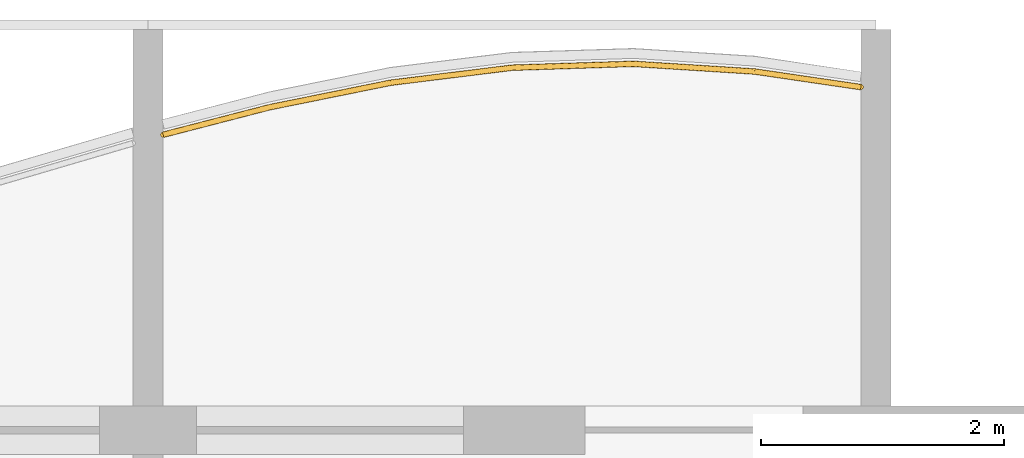
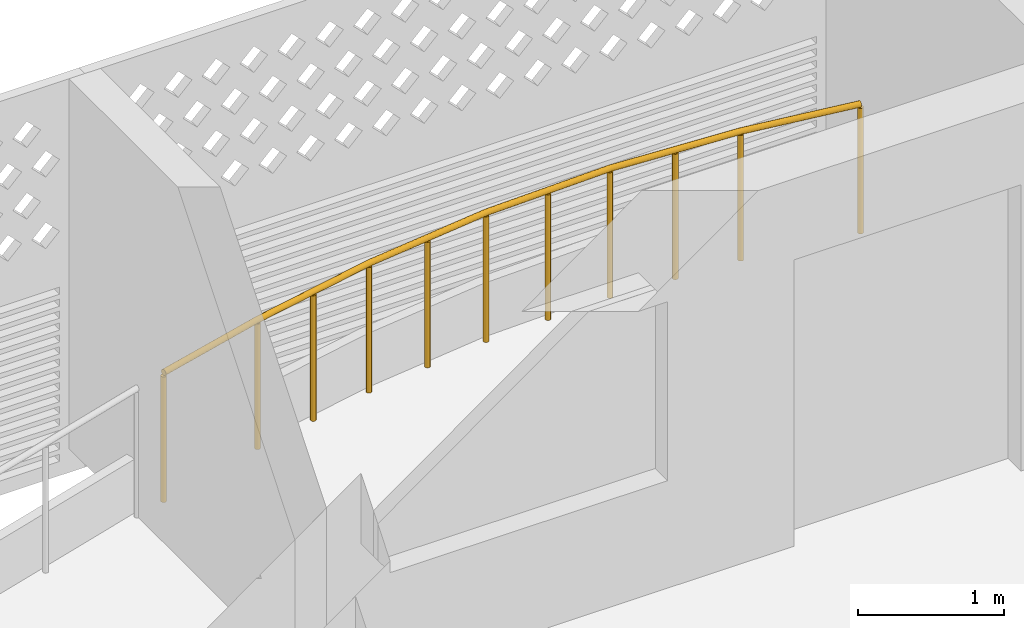
# One storey, part 27 of 28: 1 railing.
"""IFC4 building model written with IfcOpenShell, lengths in metres."""

from ifc_helpers import new_model, si_unit, direction, frame, origin, origin_2d, place, context, subcontext, project, spatial, circle, extrude, material, type_object, element, save


model = new_model("IFC4")

# Units and contexts
model_context = context("Model", 3, precision=1e-05, world=origin(), true_north=direction((0.0, 1.0)))
body_context = subcontext(model_context, "Body", "Model", "MODEL_VIEW")
ifc_project = project(units=[si_unit("LENGTHUNIT", "METRE"), si_unit("AREAUNIT", "SQUARE_METRE"), si_unit("VOLUMEUNIT", "CUBIC_METRE"), si_unit("PLANEANGLEUNIT", "RADIAN"), si_unit("MASSUNIT", "GRAM", prefix="KILO")], contexts=[model_context])

# Site, building, storey
site_placement = place(None, origin())
site = spatial("IfcSite", under=ifc_project, at=site_placement, CompositionType="ELEMENT")
building_placement = place(site_placement, origin())
building = spatial("IfcBuilding", under=site, at=building_placement, Name="Poui Terraces", CompositionType="ELEMENT")
storey_placement = place(building_placement, frame((0.0, 0.0, 188.39990234375)))
storey = spatial("IfcBuildingStorey", under=building, at=storey_placement, Name="L52", CompositionType="ELEMENT", Elevation=188.39990234375)

# Railing
ifc_material = material(Name="Painted steel fretwork", Category="steel")
railing_type = type_object("IfcRailingType", Name="BALCONY GUARD 1100", PredefinedType="GUARDRAIL", material=ifc_material)
railing_placement = place(storey_placement, frame((72.125, 43.634521484375, 0.0)))
element("IfcRailing", 1, at=railing_placement, inside=storey, type_object=railing_type, Name="BALCONY GUARD", PredefinedType="GUARDRAIL", context=body_context, shape_type="SweptSolid", body=[
    extrude(circle(Radius=0.02392578125, at=origin_2d()), frame((0.0, 0.0, 1.076171875), z_axis=(0.968205596165, 0.250155798563, 0.0), x_axis=(-0.250155798563, 0.968205596165, 0.0)), (0.0, 0.0, 1.0), 0.90380859375),
    extrude(circle(Radius=0.02392578125, at=origin_2d()), frame((0.875, 0.22607421875, 1.076171875), z_axis=(0.980080566497, 0.198600310106, 0.0), x_axis=(-0.198600310106, 0.980080566497, 0.0)), (0.0, 0.0, 1.0), 1.020263671875),
    extrude(circle(Radius=0.02392578125, at=origin_2d()), frame((1.875, 0.4287109375, 1.076171875), z_axis=(0.992426262271, 0.122841824944, 0.0), x_axis=(-0.122841824944, 0.992426262271, 0.0)), (0.0, 0.0, 1.0), 1.007568359375),
    extrude(circle(Radius=0.02392578125, at=origin_2d()), frame((2.875, 0.552490234375, 1.076171875), z_axis=(0.999496720941, 0.031722308038, 0.0), x_axis=(-0.031722308038, 0.999496720941, 0.0)), (0.0, 0.0, 1.0), 1.00048828125),
    extrude(circle(Radius=0.02392578125, at=origin_2d()), frame((3.875, 0.584228515625, 1.076171875), z_axis=(0.998006805525, -0.063106387361, 0.0), x_axis=(0.063106387361, 0.998006805525, 0.0)), (0.0, 0.0, 1.0), 1.001953125),
    extrude(circle(Radius=0.02392578125, at=origin_2d()), frame((4.875, 0.52099609375, 1.076171875), z_axis=(0.989401169276, -0.1452078725, 0.0), x_axis=(0.1452078725, 0.989401169276, 0.0)), (0.0, 0.0, 1.0), 0.88427734375),
    extrude(circle(Radius=0.02099609375, at=origin_2d()), origin(), (0.0, 0.0, 1.0), 1.052001953125),
    extrude(circle(Radius=0.02099609375, at=origin_2d()), frame((0.875, 0.22607421875, 0.0)), (0.0, 0.0, 1.0), 1.052001953125),
    extrude(circle(Radius=0.02099609375, at=origin_2d()), frame((1.375, 0.327392578125, 0.0)), (0.0, 0.0, 1.0), 1.052001953125),
    extrude(circle(Radius=0.02099609375, at=origin_2d()), frame((1.875, 0.4287109375, 0.0)), (0.0, 0.0, 1.0), 1.052001953125),
    extrude(circle(Radius=0.02099609375, at=origin_2d()), frame((2.375, 0.49072265625, 0.0)), (0.0, 0.0, 1.0), 1.052001953125),
    extrude(circle(Radius=0.02099609375, at=origin_2d()), frame((2.875, 0.552490234375, 0.0)), (0.0, 0.0, 1.0), 1.052001953125),
    extrude(circle(Radius=0.02099609375, at=origin_2d()), frame((3.375, 0.568359375, 0.0)), (0.0, 0.0, 1.0), 1.052001953125),
    extrude(circle(Radius=0.02099609375, at=origin_2d()), frame((3.875, 0.584228515625, 0.0)), (0.0, 0.0, 1.0), 1.052001953125),
    extrude(circle(Radius=0.02099609375, at=origin_2d()), frame((4.375, 0.552734375, 0.0)), (0.0, 0.0, 1.0), 1.052001953125),
    extrude(circle(Radius=0.02099609375, at=origin_2d()), frame((4.875, 0.52099609375, 0.0)), (0.0, 0.0, 1.0), 1.052001953125),
    extrude(circle(Radius=0.02099609375, at=origin_2d()), frame((5.75, 0.392578125, 0.0)), (0.0, 0.0, 1.0), 1.052001953125),
])

save(model, "model.ifc")
